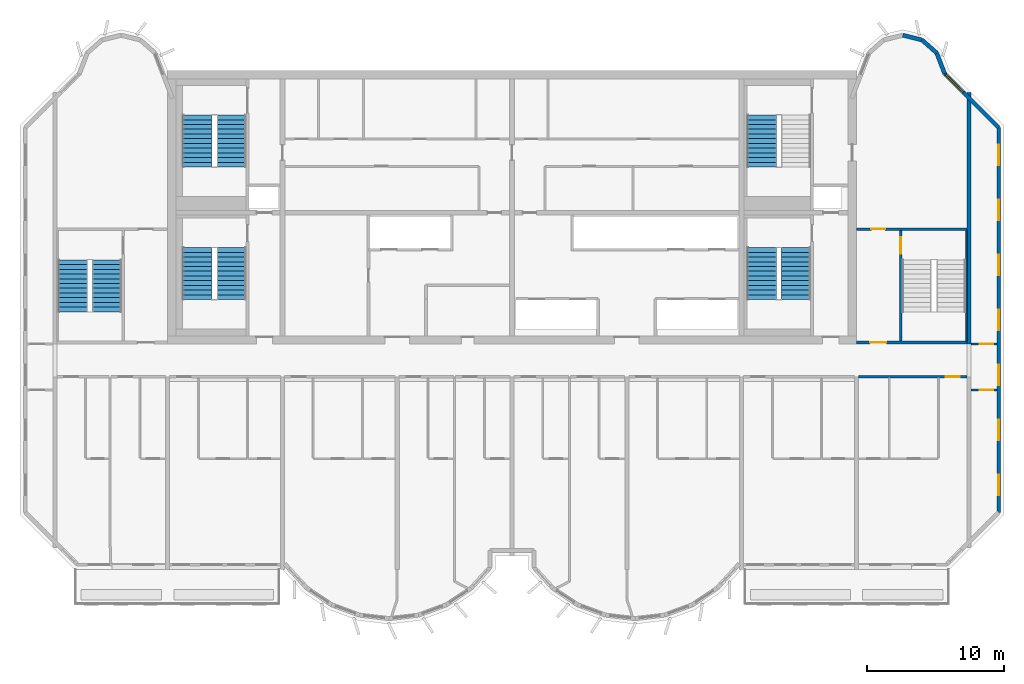
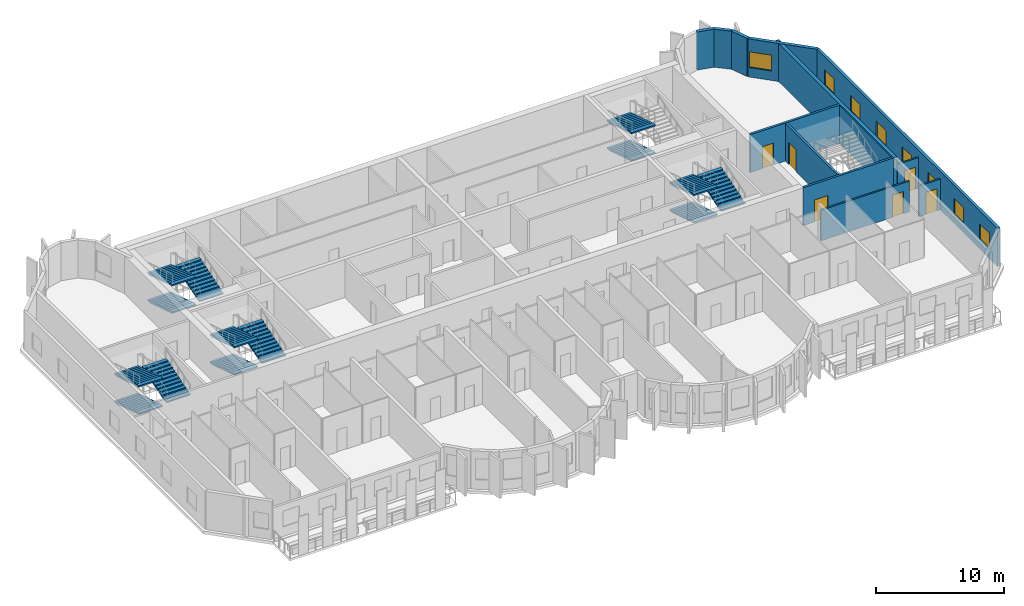
# One storey, part 8 of 11: 14 stair flights, 13 walls, 8 windows, 6 doors, 14 openings, 5 elements without a shape of their own.
"""IFC4 building model written with IfcOpenShell, lengths in metres."""

from ifc_helpers import new_model, si_unit, direction, frame, frame_2d, origin, place, context, subcontext, project, spatial, polyline, rectangle, outline, extrude, source, transform, mapped, material, layer, layer_set, type_object, element, fill, aggregate, save


model = new_model("IFC4")

# Units and contexts
model_context = context("Model", 3, precision=1e-05, world=origin(), true_north=direction((0.0, 1.0)))
body_context = subcontext(model_context, "Body", "Model", "MODEL_VIEW")
ifc_project = project(units=[si_unit("LENGTHUNIT", "METRE"), si_unit("AREAUNIT", "SQUARE_METRE"), si_unit("VOLUMEUNIT", "CUBIC_METRE"), si_unit("PLANEANGLEUNIT", "RADIAN"), si_unit("MASSUNIT", "GRAM", prefix="KILO")], contexts=[model_context])

# Site, building, storey
site_placement = place(None, origin())
site = spatial("IfcSite", under=ifc_project, at=site_placement, CompositionType="ELEMENT")
building_placement = place(site_placement, origin())
building = spatial("IfcBuilding", under=site, at=building_placement, Name="Vanashikhar Sky Hotel", CompositionType="ELEMENT")
storey_placement = place(building_placement, frame((0.0, 0.0, 256.89990234375)))
storey = spatial("IfcBuildingStorey", under=building, at=storey_placement, Name="L62", CompositionType="ELEMENT", Elevation=256.89990234375)

# Wall
ifc_material_1 = material(Name="Concrete M60", Category="concrete")
ifc_layer_1 = layer(ifc_material_1, 0.300048828125)
ifc_layer_set_1 = layer_set([ifc_layer_1], Name="RC shear wall 300 Concrete M60")
wall_type_1 = type_object("IfcWallType", Name="RC shear wall 300 Concrete M60", PredefinedType="SHEAR", material=ifc_layer_set_1)
shared_shape_1 = source(origin(), body_context, "Body", "SweptSolid", [
    extrude(rectangle(XDim=18.39990234375, YDim=0.300048828125, at=frame_2d((9.199951171875, 0.0))), origin(), (0.0, 0.0, 1.0), 3.6201171875),
])
wall_1_placement = place(storey_placement, frame((83.85009765625, 22.0, 0.0), z_axis=(0.0, 0.0, 1.0), x_axis=(0.0, 1.0, 0.0)))
element("IfcWall", 1, at=wall_1_placement, inside=storey, type_object=wall_type_1, Name="CW-L62-XW11-2", PredefinedType="SHEAR", context=body_context, shape_type="MappedRepresentation", body=[
    mapped(shared_shape_1, transform((0.0, 0.0, 0.0), scale=1.0)),
])

# Wall, opening, window
ifc_material_2 = material(Name="Concrete M50", Category="concrete")
ifc_layer_2 = layer(ifc_material_2, 0.300048828125)
ifc_layer_set_2 = layer_set([ifc_layer_2], Name="Lobe wall 300")
wall_type_2 = type_object("IfcWallType", Name="Lobe wall 300", PredefinedType="SOLIDWALL", material=ifc_layer_set_2)
shared_shape_2 = source(origin(), body_context, "Body", "SweptSolid", [
    extrude(rectangle(XDim=5.576416015625, YDim=0.300048828125, at=frame_2d((2.7880859375, 0.0))), origin(), (0.0, 0.0, 1.0), 3.6201171875),
])
wall_2_placement = place(storey_placement, frame((86.0, 37.834228515625, 0.0), z_axis=(0.0, 0.0, 1.0), x_axis=(-0.707106781187, 0.707106781187, 0.0)))
wall_2 = element("IfcWall", 2, at=wall_2_placement, inside=storey, type_object=wall_type_2, Name="Corner wall", PredefinedType="SOLIDWALL", context=body_context, shape_type="MappedRepresentation", body=[
    mapped(shared_shape_2, transform((0.0, 0.0, 0.0), scale=1.0)),
])
shared_shape_3 = source(origin(), body_context, "Body", "SweptSolid", [
    extrude(rectangle(XDim=1.800048828125, YDim=1.5, at=frame_2d((0.89990234375, 0.75))), frame((0.0, 0.16015625, 0.0), z_axis=(0.0, -1.0, 0.0), x_axis=(1.0, 0.0, 0.0)), (0.0, 0.0, 1.0), 0.320068359375),
])
opening_1_placement = place(wall_2_placement, frame((3.658447265625, 0.0, 0.89990234375)))
opening_1 = element("IfcOpeningElement", 3, at=opening_1_placement, cuts=wall_2, Name="Opening WN-4", PredefinedType="OPENING", context=body_context, shape_type="MappedRepresentation", body=[
    mapped(shared_shape_3, transform((0.0, 0.0, 0.0), scale=1.0)),
])
ifc_material_3 = material(Name="Glass", Category="glass")
window_type_1 = type_object("IfcWindowType", Name="Corner window 1800 x 1500", PartitioningType="SINGLE_PANEL", PredefinedType="WINDOW", material=ifc_material_3)
shared_shape_4 = source(origin(), body_context, "Body", "SweptSolid", [
    extrude(rectangle(XDim=1.800048828125, YDim=1.5, at=frame_2d((0.89990234375, 0.75))), frame((0.0, 0.030029296875, 0.0), z_axis=(0.0, -1.0, 0.0), x_axis=(1.0, 0.0, 0.0)), (0.0, 0.0, 1.0), 0.06005859375),
])
window_1_placement = place(opening_1_placement, origin())
window_1 = element("IfcWindow", 4, at=window_1_placement, inside=storey, type_object=window_type_1, Name="Window WN-4", OverallHeight=1.5, OverallWidth=1.800048828125, PartitioningType="SINGLE_PANEL", PredefinedType="WINDOW", context=body_context, shape_type="MappedRepresentation", body=[
    mapped(shared_shape_4, transform((0.0, 0.0, 0.0), scale=1.0)),
])
fill(opening_1, window_1)

# Walls
shared_shape_5 = source(origin(), body_context, "Body", "SweptSolid", [
    extrude(rectangle(XDim=1.6220703125, YDim=0.300048828125, at=frame_2d((0.81103515625, 0.0))), origin(), (0.0, 0.0, 1.0), 3.6201171875),
])
wall_3_placement = place(storey_placement, frame((82.056884765625, 41.77734375, 0.0), z_axis=(0.0, 0.0, 1.0), x_axis=(-0.357778527068, 0.933806471154, 0.0)))
element("IfcWall", 5, at=wall_3_placement, inside=storey, type_object=wall_type_2, Name="Lobe wall", PredefinedType="SOLIDWALL", context=body_context, shape_type="MappedRepresentation", body=[
    mapped(shared_shape_5, transform((0.0, 0.0, 0.0), scale=1.0)),
])
shared_shape_6 = source(origin(), body_context, "Body", "SweptSolid", [
    extrude(rectangle(XDim=1.43994140625, YDim=0.300048828125, at=frame_2d((0.719970703125, 0.0))), origin(), (0.0, 0.0, 1.0), 3.6201171875),
])
wall_4_placement = place(storey_placement, frame((81.4765625, 43.2919921875, 0.0), z_axis=(0.0, 0.0, 1.0), x_axis=(-0.74957555648, 0.661918790432, 0.0)))
element("IfcWall", 6, at=wall_4_placement, inside=storey, type_object=wall_type_2, Name="Lobe wall", PredefinedType="SOLIDWALL", context=body_context, shape_type="MappedRepresentation", body=[
    mapped(shared_shape_6, transform((0.0, 0.0, 0.0), scale=1.0)),
])
shared_shape_7 = source(origin(), body_context, "Body", "SweptSolid", [
    extrude(rectangle(XDim=1.438720703125, YDim=0.300048828125, at=frame_2d((0.71923828125, 0.0))), origin(), (0.0, 0.0, 1.0), 3.6201171875),
])
wall_5_placement = place(storey_placement, frame((80.397216796875, 44.2451171875, 0.0), z_axis=(0.0, 0.0, 1.0), x_axis=(-0.971161932466, 0.238420848351, 0.0)))
element("IfcWall", 7, at=wall_5_placement, inside=storey, type_object=wall_type_2, Name="Lobe wall", PredefinedType="SOLIDWALL", context=body_context, shape_type="MappedRepresentation", body=[
    mapped(shared_shape_7, transform((0.0, 0.0, 0.0), scale=1.0)),
])

# Wall, openings, windows
ifc_layer_3 = layer(ifc_material_2, 0.25)
ifc_layer_set_3 = layer_set([ifc_layer_3], Name="Rear and end board-marked wall 250")
wall_type_3 = type_object("IfcWallType", Name="Rear and end board-marked wall 250", PredefinedType="SOLIDWALL", material=ifc_layer_set_3)
shared_shape_8 = source(origin(), body_context, "Body", "SweptSolid", [
    extrude(rectangle(XDim=28.189453125, YDim=0.25, at=frame_2d((14.0947265625, 0.0))), origin(), (0.0, 0.0, 1.0), 3.6201171875),
])
wall_6_placement = place(storey_placement, frame((86.02490234375, 9.6552734375, 0.0), z_axis=(0.0, 0.0, 1.0), x_axis=(0.0, 1.0, 0.0)))
wall_6 = element("IfcWall", 8, at=wall_6_placement, inside=storey, type_object=wall_type_3, Name="End board-marked wall", PredefinedType="SOLIDWALL", context=body_context, shape_type="MappedRepresentation", body=[
    mapped(shared_shape_8, transform((0.0, 0.0, 0.0), scale=1.0)),
])
shared_shape_9 = source(origin(), body_context, "Body", "SweptSolid", [
    extrude(rectangle(XDim=1.5, YDim=1.5, at=frame_2d((0.75, 0.75))), frame((0.0, 0.135009765625, 0.0), z_axis=(0.0, -1.0, 0.0), x_axis=(1.0, 0.0, 0.0)), (0.0, 0.0, 1.0), 0.27001953125),
])
opening_2_placement = place(wall_6_placement, frame((1.263427734375, 0.0, 0.89990234375)))
opening_2 = element("IfcOpeningElement", 9, at=opening_2_placement, cuts=wall_6, Name="Opening WN-1", PredefinedType="OPENING", context=body_context, shape_type="MappedRepresentation", body=[
    mapped(shared_shape_9, transform((0.0, 0.0, 0.0), scale=1.0)),
])
opening_3_placement = place(wall_6_placement, frame((5.29052734375, 0.0, 0.89990234375)))
opening_3 = element("IfcOpeningElement", 10, at=opening_3_placement, cuts=wall_6, Name="Opening WN-1", PredefinedType="OPENING", context=body_context, shape_type="MappedRepresentation", body=[
    mapped(shared_shape_9, transform((0.0, 0.0, 0.0), scale=1.0)),
])
opening_4_placement = place(wall_6_placement, frame((9.317626953125, 0.0, 0.89990234375)))
opening_4 = element("IfcOpeningElement", 11, at=opening_4_placement, cuts=wall_6, Name="Opening WN-1", PredefinedType="OPENING", context=body_context, shape_type="MappedRepresentation", body=[
    mapped(shared_shape_9, transform((0.0, 0.0, 0.0), scale=1.0)),
])
opening_5_placement = place(wall_6_placement, frame((13.3447265625, 0.0, 0.89990234375)))
opening_5 = element("IfcOpeningElement", 12, at=opening_5_placement, cuts=wall_6, Name="Opening WN-1", PredefinedType="OPENING", context=body_context, shape_type="MappedRepresentation", body=[
    mapped(shared_shape_9, transform((0.0, 0.0, 0.0), scale=1.0)),
])
opening_6_placement = place(wall_6_placement, frame((17.371826171875, 0.0, 0.89990234375)))
opening_6 = element("IfcOpeningElement", 13, at=opening_6_placement, cuts=wall_6, Name="Opening WN-1", PredefinedType="OPENING", context=body_context, shape_type="MappedRepresentation", body=[
    mapped(shared_shape_9, transform((0.0, 0.0, 0.0), scale=1.0)),
])
opening_7_placement = place(wall_6_placement, frame((21.398681640625, 0.0, 0.89990234375)))
opening_7 = element("IfcOpeningElement", 14, at=opening_7_placement, cuts=wall_6, Name="Opening WN-1", PredefinedType="OPENING", context=body_context, shape_type="MappedRepresentation", body=[
    mapped(shared_shape_9, transform((0.0, 0.0, 0.0), scale=1.0)),
])
opening_8_placement = place(wall_6_placement, frame((25.42578125, 0.0, 0.89990234375)))
opening_8 = element("IfcOpeningElement", 15, at=opening_8_placement, cuts=wall_6, Name="Opening WN-1", PredefinedType="OPENING", context=body_context, shape_type="MappedRepresentation", body=[
    mapped(shared_shape_9, transform((0.0, 0.0, 0.0), scale=1.0)),
])
window_type_2 = type_object("IfcWindowType", Name="Window 1500 x 1500", PartitioningType="SINGLE_PANEL", PredefinedType="WINDOW", material=ifc_material_3)
shared_shape_10 = source(origin(), body_context, "Body", "SweptSolid", [
    extrude(rectangle(XDim=1.5, YDim=1.5, at=frame_2d((0.75, 0.75))), frame((0.0, 0.030029296875, 0.0), z_axis=(0.0, -1.0, 0.0), x_axis=(1.0, 0.0, 0.0)), (0.0, 0.0, 1.0), 0.06005859375),
])
window_2_placement = place(opening_2_placement, origin())
window_2 = element("IfcWindow", 16, at=window_2_placement, inside=storey, type_object=window_type_2, Name="Window WN-1", OverallHeight=1.5, OverallWidth=1.5, PartitioningType="SINGLE_PANEL", PredefinedType="WINDOW", context=body_context, shape_type="MappedRepresentation", body=[
    mapped(shared_shape_10, transform((0.0, 0.0, 0.0), scale=1.0)),
])
fill(opening_2, window_2)
window_3_placement = place(opening_3_placement, origin())
window_3 = element("IfcWindow", 17, at=window_3_placement, inside=storey, type_object=window_type_2, Name="Window WN-1", OverallHeight=1.5, OverallWidth=1.5, PartitioningType="SINGLE_PANEL", PredefinedType="WINDOW", context=body_context, shape_type="MappedRepresentation", body=[
    mapped(shared_shape_10, transform((0.0, 0.0, 0.0), scale=1.0)),
])
fill(opening_3, window_3)
window_4_placement = place(opening_4_placement, origin())
window_4 = element("IfcWindow", 18, at=window_4_placement, inside=storey, type_object=window_type_2, Name="Window WN-1", OverallHeight=1.5, OverallWidth=1.5, PartitioningType="SINGLE_PANEL", PredefinedType="WINDOW", context=body_context, shape_type="MappedRepresentation", body=[
    mapped(shared_shape_10, transform((0.0, 0.0, 0.0), scale=1.0)),
])
fill(opening_4, window_4)
window_5_placement = place(opening_5_placement, origin())
window_5 = element("IfcWindow", 19, at=window_5_placement, inside=storey, type_object=window_type_2, Name="Window WN-1", OverallHeight=1.5, OverallWidth=1.5, PartitioningType="SINGLE_PANEL", PredefinedType="WINDOW", context=body_context, shape_type="MappedRepresentation", body=[
    mapped(shared_shape_10, transform((0.0, 0.0, 0.0), scale=1.0)),
])
fill(opening_5, window_5)
window_6_placement = place(opening_6_placement, origin())
window_6 = element("IfcWindow", 20, at=window_6_placement, inside=storey, type_object=window_type_2, Name="Window WN-1", OverallHeight=1.5, OverallWidth=1.5, PartitioningType="SINGLE_PANEL", PredefinedType="WINDOW", context=body_context, shape_type="MappedRepresentation", body=[
    mapped(shared_shape_10, transform((0.0, 0.0, 0.0), scale=1.0)),
])
fill(opening_6, window_6)
window_7_placement = place(opening_7_placement, origin())
window_7 = element("IfcWindow", 21, at=window_7_placement, inside=storey, type_object=window_type_2, Name="Window WN-1", OverallHeight=1.5, OverallWidth=1.5, PartitioningType="SINGLE_PANEL", PredefinedType="WINDOW", context=body_context, shape_type="MappedRepresentation", body=[
    mapped(shared_shape_10, transform((0.0, 0.0, 0.0), scale=1.0)),
])
fill(opening_7, window_7)
window_8_placement = place(opening_8_placement, origin())
window_8 = element("IfcWindow", 22, at=window_8_placement, inside=storey, type_object=window_type_2, Name="Window WN-1", OverallHeight=1.5, OverallWidth=1.5, PartitioningType="SINGLE_PANEL", PredefinedType="WINDOW", context=body_context, shape_type="MappedRepresentation", body=[
    mapped(shared_shape_10, transform((0.0, 0.0, 0.0), scale=1.0)),
])
fill(opening_8, window_8)

# Wall, opening, door
ifc_layer_4 = layer(ifc_material_2, 0.199951171875)
ifc_layer_set_4 = layer_set([ifc_layer_4], Name="Stair wall 200")
wall_type_4 = type_object("IfcWallType", Name="Stair wall 200", PredefinedType="SOLIDWALL", material=ifc_layer_set_4)
shared_shape_11 = source(origin(), body_context, "Body", "SweptSolid", [
    extrude(rectangle(XDim=8.2998046875, YDim=0.199951171875, at=frame_2d((4.14990234375, 0.0))), origin(), (0.0, 0.0, 1.0), 3.6201171875),
])
wall_7_placement = place(storey_placement, frame((78.85009765625, 22.10009765625, 0.0), z_axis=(0.0, 0.0, 1.0), x_axis=(0.0, 1.0, 0.0)))
wall_7 = element("IfcWall", 23, at=wall_7_placement, inside=storey, type_object=wall_type_4, Name="Stair wall 200", PredefinedType="SOLIDWALL", context=body_context, shape_type="MappedRepresentation", body=[
    mapped(shared_shape_11, transform((0.0, 0.0, 0.0), scale=1.0)),
])
shared_shape_12 = source(origin(), body_context, "Body", "SweptSolid", [
    extrude(rectangle(XDim=1.199951171875, YDim=2.10009765625, at=frame_2d((0.60009765625, 1.050048828125))), frame((0.0, 0.10986328125, 0.0), z_axis=(0.0, -1.0, 0.0), x_axis=(1.0, 0.0, 0.0)), (0.0, 0.0, 1.0), 0.219970703125),
])
opening_9_placement = place(wall_7_placement, frame((6.5, 0.0, 0.0)))
opening_9 = element("IfcOpeningElement", 24, at=opening_9_placement, cuts=wall_7, Name="Opening DC-1", PredefinedType="OPENING", context=body_context, shape_type="MappedRepresentation", body=[
    mapped(shared_shape_12, transform((0.0, 0.0, 0.0), scale=1.0)),
])
ifc_material_4 = material(Name="Steel", Category="steel")
door_type_1 = type_object("IfcDoorType", Name="Stair door 1200 FD120", OperationType="NOTDEFINED", PredefinedType="DOOR", material=ifc_material_4)
shared_shape_13 = source(origin(), body_context, "Body", "SweptSolid", [
    extrude(rectangle(XDim=1.199951171875, YDim=2.10009765625, at=frame_2d((0.60009765625, 1.050048828125))), frame((0.0, 0.02490234375, 0.0), z_axis=(0.0, -1.0, 0.0), x_axis=(1.0, 0.0, 0.0)), (0.0, 0.0, 1.0), 0.050048828125),
])
door_1_placement = place(opening_9_placement, origin())
door_1 = element("IfcDoor", 25, at=door_1_placement, inside=storey, type_object=door_type_1, Name="Stair door 1200 FD120", OperationType="SINGLE_SWING_RIGHT", OverallHeight=2.10009765625, OverallWidth=1.199951171875, PredefinedType="DOOR", context=body_context, shape_type="MappedRepresentation", body=[
    mapped(shared_shape_13, transform((0.0, 0.0, 0.0), scale=1.0)),
])
fill(opening_9, door_1)

shared_shape_14 = source(origin(), body_context, "Body", "SweptSolid", [
    extrude(rectangle(XDim=8.099853515625, YDim=0.199951171875, at=frame_2d((4.0498046875, 0.0))), origin(), (0.0, 0.0, 1.0), 3.6201171875),
])
wall_8_placement = place(storey_placement, frame((83.699951171875, 22.10009765625, 0.0), z_axis=(0.0, 0.0, 1.0), x_axis=(-1.0, 0.0, 0.0)))
wall_8 = element("IfcWall", 26, at=wall_8_placement, inside=storey, type_object=wall_type_4, Name="Stair wall 200", PredefinedType="SOLIDWALL", context=body_context, shape_type="MappedRepresentation", body=[
    mapped(shared_shape_14, transform((0.0, 0.0, 0.0), scale=1.0)),
])
opening_10_placement = place(wall_8_placement, frame((5.89990234375, 0.0, 0.0)))
opening_10 = element("IfcOpeningElement", 27, at=opening_10_placement, cuts=wall_8, Name="Opening DC-2", PredefinedType="OPENING", context=body_context, shape_type="MappedRepresentation", body=[
    mapped(shared_shape_12, transform((0.0, 0.0, 0.0), scale=1.0)),
])
door_type_2 = type_object("IfcDoorType", Name="Firefighting lobby door 1200 FD120", OperationType="NOTDEFINED", PredefinedType="DOOR", material=ifc_material_4)
door_2_placement = place(opening_10_placement, origin())
door_2 = element("IfcDoor", 28, at=door_2_placement, inside=storey, type_object=door_type_2, Name="Firefighting lobby door 1200 FD120", OperationType="SINGLE_SWING_RIGHT", OverallHeight=2.10009765625, OverallWidth=1.199951171875, PredefinedType="DOOR", context=body_context, shape_type="MappedRepresentation", body=[
    mapped(shared_shape_13, transform((0.0, 0.0, 0.0), scale=1.0)),
])
fill(opening_10, door_2)

wall_9_placement = place(storey_placement, frame((83.699951171875, 30.39990234375, 0.0), z_axis=(0.0, 0.0, 1.0), x_axis=(-1.0, 0.0, 0.0)))
wall_9 = element("IfcWall", 29, at=wall_9_placement, inside=storey, type_object=wall_type_4, Name="Stair wall 200", PredefinedType="SOLIDWALL", context=body_context, shape_type="MappedRepresentation", body=[
    mapped(shared_shape_14, transform((0.0, 0.0, 0.0), scale=1.0)),
])
shared_shape_15 = source(origin(), body_context, "Body", "SweptSolid", [
    extrude(rectangle(XDim=1.0, YDim=2.10009765625, at=frame_2d((0.5, 1.050048828125))), frame((0.0, 0.10986328125, 0.0), z_axis=(0.0, -1.0, 0.0), x_axis=(1.0, 0.0, 0.0)), (0.0, 0.0, 1.0), 0.219970703125),
])
opening_11_placement = place(wall_9_placement, frame((6.0, 0.0, 0.0)))
opening_11 = element("IfcOpeningElement", 30, at=opening_11_placement, cuts=wall_9, Name="Opening DC-6", PredefinedType="OPENING", context=body_context, shape_type="MappedRepresentation", body=[
    mapped(shared_shape_15, transform((0.0, 0.0, 0.0), scale=1.0)),
])
door_type_3 = type_object("IfcDoorType", Name="Pocket door 1000 FD60", OperationType="NOTDEFINED", PredefinedType="DOOR", material=ifc_material_4)
shared_shape_16 = source(origin(), body_context, "Body", "SweptSolid", [
    extrude(rectangle(XDim=1.0, YDim=2.10009765625, at=frame_2d((0.5, 1.050048828125))), frame((0.0, 0.02490234375, 0.0), z_axis=(0.0, -1.0, 0.0), x_axis=(1.0, 0.0, 0.0)), (0.0, 0.0, 1.0), 0.050048828125),
])
door_3_placement = place(opening_11_placement, origin())
door_3 = element("IfcDoor", 31, at=door_3_placement, inside=storey, type_object=door_type_3, Name="Pocket door 1000 FD60", OperationType="SINGLE_SWING_RIGHT", OverallHeight=2.10009765625, OverallWidth=1.0, PredefinedType="DOOR", context=body_context, shape_type="MappedRepresentation", body=[
    mapped(shared_shape_16, transform((0.0, 0.0, 0.0), scale=1.0)),
])
fill(opening_11, door_3)

# Wall
ifc_layer_5 = layer(ifc_material_2, 0.10009765625)
ifc_layer_set_5 = layer_set([ifc_layer_5], Name="Stair infill wall 100")
wall_type_5 = type_object("IfcWallType", Name="Stair infill wall 100", PredefinedType="SOLIDWALL", material=ifc_layer_set_5)
shared_shape_17 = source(origin(), body_context, "Body", "SweptSolid", [
    extrude(rectangle(XDim=8.10009765625, YDim=0.10009765625, at=frame_2d((4.050048828125, 0.0))), origin(), (0.0, 0.0, 1.0), 3.6201171875),
])
wall_10_placement = place(storey_placement, frame((83.64990234375, 22.199951171875, 0.0), z_axis=(0.0, 0.0, 1.0), x_axis=(0.0, 1.0, 0.0)))
element("IfcWall", 32, at=wall_10_placement, inside=storey, type_object=wall_type_5, Name="Stair infill wall 100", PredefinedType="SOLIDWALL", context=body_context, shape_type="MappedRepresentation", body=[
    mapped(shared_shape_17, transform((0.0, 0.0, 0.0), scale=1.0)),
])

# Wall, opening, door
ifc_material_5 = material(Name="Gypsum plasterboard partition")
ifc_layer_6 = layer(ifc_material_5, 0.14990234375)
ifc_layer_set_6 = layer_set([ifc_layer_6], Name="Corridor and demising partition 150")
wall_type_6 = type_object("IfcWallType", Name="Corridor and demising partition 150", PredefinedType="PARTITIONING", material=ifc_layer_set_6)
shared_shape_18 = source(origin(), body_context, "Body", "SweptSolid", [
    extrude(rectangle(XDim=7.949951171875, YDim=0.14990234375, at=frame_2d((3.97509765625, 0.0))), origin(), (0.0, 0.0, 1.0), 2.920166015625),
])
wall_11_placement = place(storey_placement, frame((75.75, 19.60009765625, 0.0), z_axis=(0.0, 0.0, 1.0), x_axis=(1.0, 0.0, 0.0)))
wall_11 = element("IfcWall", 33, at=wall_11_placement, inside=storey, type_object=wall_type_6, Name="W-L62-PW046", PredefinedType="PARTITIONING", context=body_context, shape_type="MappedRepresentation", body=[
    mapped(shared_shape_18, transform((0.0, 0.0, 0.0), scale=1.0)),
])
shared_shape_19 = source(origin(), body_context, "Body", "SweptSolid", [
    extrude(rectangle(XDim=1.0, YDim=2.10009765625, at=frame_2d((0.5, 1.050048828125))), frame((0.0, 0.0849609375, 0.0), z_axis=(0.0, -1.0, 0.0), x_axis=(1.0, 0.0, 0.0)), (0.0, 0.0, 1.0), 0.169921875),
])
opening_12_placement = place(wall_11_placement, frame((6.39990234375, 0.0, 0.0)))
opening_12 = element("IfcOpeningElement", 34, at=opening_12_placement, cuts=wall_11, Name="Opening D-01", PredefinedType="OPENING", context=body_context, shape_type="MappedRepresentation", body=[
    mapped(shared_shape_19, transform((0.0, 0.0, 0.0), scale=1.0)),
])
ifc_material_6 = material(Name="Timber fire door", Category="wood")
door_type_4 = type_object("IfcDoorType", Name="Guest entry door 1000 FD30S", OperationType="NOTDEFINED", PredefinedType="DOOR", material=ifc_material_6)
door_4_placement = place(opening_12_placement, origin())
door_4 = element("IfcDoor", 35, at=door_4_placement, inside=storey, type_object=door_type_4, Name="D-L62-027", OperationType="SINGLE_SWING_RIGHT", OverallHeight=2.10009765625, OverallWidth=1.0, PredefinedType="DOOR", context=body_context, shape_type="MappedRepresentation", body=[
    mapped(shared_shape_16, transform((0.0, 0.0, 0.0), scale=1.0)),
])
fill(opening_12, door_4)

shared_shape_20 = source(origin(), body_context, "Body", "SweptSolid", [
    extrude(rectangle(XDim=1.89990234375, YDim=0.14990234375, at=frame_2d((0.949951171875, 0.0))), origin(), (0.0, 0.0, 1.0), 2.920166015625),
])
wall_12_placement = place(storey_placement, frame((84.0, 22.0, 0.0), z_axis=(0.0, 0.0, 1.0), x_axis=(1.0, 0.0, 0.0)))
wall_12 = element("IfcWall", 36, at=wall_12_placement, inside=storey, type_object=wall_type_6, Name="W-L62-PW050", PredefinedType="PARTITIONING", context=body_context, shape_type="MappedRepresentation", body=[
    mapped(shared_shape_20, transform((0.0, 0.0, 0.0), scale=1.0)),
])
opening_13_placement = place(wall_12_placement, frame((0.625, 0.0, 0.0)))
opening_13 = element("IfcOpeningElement", 37, at=opening_13_placement, cuts=wall_12, Name="Opening D-01", PredefinedType="OPENING", context=body_context, shape_type="MappedRepresentation", body=[
    mapped(shared_shape_19, transform((0.0, 0.0, 0.0), scale=1.0)),
])
door_5_placement = place(opening_13_placement, origin())
door_5 = element("IfcDoor", 38, at=door_5_placement, inside=storey, type_object=door_type_4, Name="D-L62-029", OperationType="SINGLE_SWING_RIGHT", OverallHeight=2.10009765625, OverallWidth=1.0, PredefinedType="DOOR", context=body_context, shape_type="MappedRepresentation", body=[
    mapped(shared_shape_16, transform((0.0, 0.0, 0.0), scale=1.0)),
])
fill(opening_13, door_5)

wall_13_placement = place(storey_placement, frame((84.0, 18.6279296875, 0.0), z_axis=(0.0, 0.0, 1.0), x_axis=(1.0, 0.0, 0.0)))
wall_13 = element("IfcWall", 39, at=wall_13_placement, inside=storey, type_object=wall_type_6, Name="W-L62-PW052", PredefinedType="PARTITIONING", context=body_context, shape_type="MappedRepresentation", body=[
    mapped(shared_shape_20, transform((0.0, 0.0, 0.0), scale=1.0)),
])
opening_14_placement = place(wall_13_placement, frame((0.625, 0.0, 0.0)))
opening_14 = element("IfcOpeningElement", 40, at=opening_14_placement, cuts=wall_13, Name="Opening D-01", PredefinedType="OPENING", context=body_context, shape_type="MappedRepresentation", body=[
    mapped(shared_shape_19, transform((0.0, 0.0, 0.0), scale=1.0)),
])
door_6_placement = place(opening_14_placement, origin())
door_6 = element("IfcDoor", 41, at=door_6_placement, inside=storey, type_object=door_type_4, Name="D-L62-031", OperationType="SINGLE_SWING_RIGHT", OverallHeight=2.10009765625, OverallWidth=1.0, PredefinedType="DOOR", context=body_context, shape_type="MappedRepresentation", body=[
    mapped(shared_shape_16, transform((0.0, 0.0, 0.0), scale=1.0)),
])
fill(opening_14, door_6)

# Stair, stair flights
ifc_material_7 = material(Name="Concrete M40", Category="concrete")
stair_type = type_object("IfcStairType", Name="Exit stair 2150", PredefinedType="DOUBLE_RETURN_STAIR", material=ifc_material_7)
stair_1_placement = place(storey_placement, origin())
stair_1 = element("IfcStair", 42, at=stair_1_placement, inside=storey, type_object=stair_type, Name="L62 Exit stair 1", PredefinedType="DOUBLE_RETURN_STAIR")
stair_flight_type = type_object("IfcStairFlightType", Name="Stair flight 2150", PredefinedType="STRAIGHT", material=ifc_material_7)
shared_shape_21 = source(origin(), body_context, "Body", "SweptSolid", [
    extrude(outline(polyline([(0.0, 0.0), (0.0, 0.1083984375), (0.345458984375, 0.1083984375), (0.345458984375, 0.216552734375), (0.69091796875, 0.216552734375), (0.69091796875, 0.324951171875), (1.036376953125, 0.324951171875), (1.036376953125, 0.433349609375), (1.3818359375, 0.433349609375), (1.3818359375, 0.541748046875), (1.727294921875, 0.541748046875), (1.727294921875, 0.64990234375), (2.07275390625, 0.64990234375), (2.07275390625, 0.75830078125), (2.418212890625, 0.75830078125), (2.418212890625, 0.86669921875), (2.763671875, 0.86669921875), (2.763671875, 0.97509765625), (3.109130859375, 0.97509765625), (3.109130859375, 1.083251953125), (3.45458984375, 1.083251953125), (3.45458984375, 1.191650390625), (3.800048828125, 1.191650390625), (3.800048828125, 1.300048828125), (3.800048828125, 1.065673828125), (0.4013671875, 0.0), (0.0, 0.0)])), frame((0.0, 1.074951171875, 0.0), z_axis=(0.0, -1.0, 0.0), x_axis=(1.0, 0.0, 0.0)), (0.0, 0.0, 1.0), 2.14990234375),
])
stair_flight_1_placement = place(storey_placement, frame((27.375, 29.050048828125, 0.0), z_axis=(0.0, 0.0, 1.0), x_axis=(0.0, -1.0, 0.0)))
stair_flight_1 = element("IfcStairFlight", 43, at=stair_flight_1_placement, type_object=stair_flight_type, Name="ST-C1 flight 1", NumberOfRisers=12, NumberOfTreads=11, PredefinedType="STRAIGHT", RiserHeight=0.108333333, TreadLength=0.345454545, context=body_context, shape_type="MappedRepresentation", body=[
    mapped(shared_shape_21, transform((0.0, 0.0, 0.0), scale=1.0)),
])
stair_flight_2_placement = place(storey_placement, frame((29.875, 25.25, 1.300048828125), z_axis=(0.0, 0.0, 1.0), x_axis=(0.0, 1.0, 0.0)))
stair_flight_2 = element("IfcStairFlight", 44, at=stair_flight_2_placement, type_object=stair_flight_type, Name="ST-C1 flight 2", NumberOfRisers=12, NumberOfTreads=11, PredefinedType="STRAIGHT", RiserHeight=0.108333333, TreadLength=0.345454545, context=body_context, shape_type="MappedRepresentation", body=[
    mapped(shared_shape_21, transform((0.0, 0.0, 0.0), scale=1.0)),
])
stair_flight_3_placement = place(storey_placement, frame((27.375, 29.050048828125, 2.60009765625), z_axis=(0.0, 0.0, 1.0), x_axis=(0.0, -1.0, 0.0)))
stair_flight_3 = element("IfcStairFlight", 45, at=stair_flight_3_placement, type_object=stair_flight_type, Name="ST-C1 flight 3", NumberOfRisers=12, NumberOfTreads=11, PredefinedType="STRAIGHT", RiserHeight=0.108333333, TreadLength=0.345454545, context=body_context, shape_type="MappedRepresentation", body=[
    mapped(shared_shape_21, transform((0.0, 0.0, 0.0), scale=1.0)),
])
aggregate(stair_1, [stair_flight_1, stair_flight_2, stair_flight_3])

stair_2_placement = place(storey_placement, origin())
stair_2 = element("IfcStair", 46, at=stair_2_placement, inside=storey, type_object=stair_type, Name="L62 Exit stair 2", PredefinedType="DOUBLE_RETURN_STAIR")
stair_flight_4_placement = place(storey_placement, frame((68.675048828125, 29.050048828125, 0.0), z_axis=(0.0, 0.0, 1.0), x_axis=(0.0, -1.0, 0.0)))
stair_flight_4 = element("IfcStairFlight", 47, at=stair_flight_4_placement, type_object=stair_flight_type, Name="ST-C2 flight 1", NumberOfRisers=12, NumberOfTreads=11, PredefinedType="STRAIGHT", RiserHeight=0.108333333, TreadLength=0.345454545, context=body_context, shape_type="MappedRepresentation", body=[
    mapped(shared_shape_21, transform((0.0, 0.0, 0.0), scale=1.0)),
])
stair_flight_5_placement = place(storey_placement, frame((71.175048828125, 25.25, 1.300048828125), z_axis=(0.0, 0.0, 1.0), x_axis=(0.0, 1.0, 0.0)))
stair_flight_5 = element("IfcStairFlight", 48, at=stair_flight_5_placement, type_object=stair_flight_type, Name="ST-C2 flight 2", NumberOfRisers=12, NumberOfTreads=11, PredefinedType="STRAIGHT", RiserHeight=0.108333333, TreadLength=0.345454545, context=body_context, shape_type="MappedRepresentation", body=[
    mapped(shared_shape_21, transform((0.0, 0.0, 0.0), scale=1.0)),
])
stair_flight_6_placement = place(storey_placement, frame((68.675048828125, 29.050048828125, 2.60009765625), z_axis=(0.0, 0.0, 1.0), x_axis=(0.0, -1.0, 0.0)))
stair_flight_6 = element("IfcStairFlight", 49, at=stair_flight_6_placement, type_object=stair_flight_type, Name="ST-C2 flight 3", NumberOfRisers=12, NumberOfTreads=11, PredefinedType="STRAIGHT", RiserHeight=0.108333333, TreadLength=0.345454545, context=body_context, shape_type="MappedRepresentation", body=[
    mapped(shared_shape_21, transform((0.0, 0.0, 0.0), scale=1.0)),
])
aggregate(stair_2, [stair_flight_4, stair_flight_5, stair_flight_6])

stair_3_placement = place(storey_placement, origin())
stair_3 = element("IfcStair", 50, at=stair_3_placement, inside=storey, type_object=stair_type, Name="L62 Exit stair 3", PredefinedType="DOUBLE_RETURN_STAIR")
stair_flight_7_placement = place(storey_placement, frame((18.27490234375, 28.14990234375, 0.0), z_axis=(0.0, 0.0, 1.0), x_axis=(0.0, -1.0, 0.0)))
stair_flight_7 = element("IfcStairFlight", 51, at=stair_flight_7_placement, type_object=stair_flight_type, Name="ST-W flight 1", NumberOfRisers=12, NumberOfTreads=11, PredefinedType="STRAIGHT", RiserHeight=0.108333333, TreadLength=0.345454545, context=body_context, shape_type="MappedRepresentation", body=[
    mapped(shared_shape_21, transform((0.0, 0.0, 0.0), scale=1.0)),
])
stair_flight_8_placement = place(storey_placement, frame((20.77490234375, 24.35009765625, 1.300048828125), z_axis=(0.0, 0.0, 1.0), x_axis=(0.0, 1.0, 0.0)))
stair_flight_8 = element("IfcStairFlight", 52, at=stair_flight_8_placement, type_object=stair_flight_type, Name="ST-W flight 2", NumberOfRisers=12, NumberOfTreads=11, PredefinedType="STRAIGHT", RiserHeight=0.108333333, TreadLength=0.345454545, context=body_context, shape_type="MappedRepresentation", body=[
    mapped(shared_shape_21, transform((0.0, 0.0, 0.0), scale=1.0)),
])
stair_flight_9_placement = place(storey_placement, frame((18.27490234375, 28.14990234375, 2.60009765625), z_axis=(0.0, 0.0, 1.0), x_axis=(0.0, -1.0, 0.0)))
stair_flight_9 = element("IfcStairFlight", 53, at=stair_flight_9_placement, type_object=stair_flight_type, Name="ST-W flight 3", NumberOfRisers=12, NumberOfTreads=11, PredefinedType="STRAIGHT", RiserHeight=0.108333333, TreadLength=0.345454545, context=body_context, shape_type="MappedRepresentation", body=[
    mapped(shared_shape_21, transform((0.0, 0.0, 0.0), scale=1.0)),
])
aggregate(stair_3, [stair_flight_7, stair_flight_8, stair_flight_9])

stair_4_placement = place(storey_placement, origin())
stair_4 = element("IfcStair", 54, at=stair_4_placement, inside=storey, type_object=stair_type, Name="L62 Exit stair 5", PredefinedType="DOUBLE_RETURN_STAIR")
stair_flight_10_placement = place(storey_placement, frame((27.375, 38.75, 0.0), z_axis=(0.0, 0.0, 1.0), x_axis=(0.0, -1.0, 0.0)))
stair_flight_10 = element("IfcStairFlight", 55, at=stair_flight_10_placement, type_object=stair_flight_type, Name="ST-C3 flight 1", NumberOfRisers=12, NumberOfTreads=11, PredefinedType="STRAIGHT", RiserHeight=0.108333333, TreadLength=0.345454545, context=body_context, shape_type="MappedRepresentation", body=[
    mapped(shared_shape_21, transform((0.0, 0.0, 0.0), scale=1.0)),
])
stair_flight_11_placement = place(storey_placement, frame((29.875, 34.949951171875, 1.300048828125), z_axis=(0.0, 0.0, 1.0), x_axis=(0.0, 1.0, 0.0)))
stair_flight_11 = element("IfcStairFlight", 56, at=stair_flight_11_placement, type_object=stair_flight_type, Name="ST-C3 flight 2", NumberOfRisers=12, NumberOfTreads=11, PredefinedType="STRAIGHT", RiserHeight=0.108333333, TreadLength=0.345454545, context=body_context, shape_type="MappedRepresentation", body=[
    mapped(shared_shape_21, transform((0.0, 0.0, 0.0), scale=1.0)),
])
stair_flight_12_placement = place(storey_placement, frame((27.375, 38.75, 2.60009765625), z_axis=(0.0, 0.0, 1.0), x_axis=(0.0, -1.0, 0.0)))
stair_flight_12 = element("IfcStairFlight", 57, at=stair_flight_12_placement, type_object=stair_flight_type, Name="ST-C3 flight 3", NumberOfRisers=12, NumberOfTreads=11, PredefinedType="STRAIGHT", RiserHeight=0.108333333, TreadLength=0.345454545, context=body_context, shape_type="MappedRepresentation", body=[
    mapped(shared_shape_21, transform((0.0, 0.0, 0.0), scale=1.0)),
])
aggregate(stair_4, [stair_flight_10, stair_flight_11, stair_flight_12])

stair_5_placement = place(storey_placement, origin())
stair_5 = element("IfcStair", 58, at=stair_5_placement, inside=storey, type_object=stair_type, Name="L62 Exit stair 6", PredefinedType="DOUBLE_RETURN_STAIR")
stair_flight_13_placement = place(storey_placement, frame((68.675048828125, 38.75, 0.0), z_axis=(0.0, 0.0, 1.0), x_axis=(0.0, -1.0, 0.0)))
stair_flight_13 = element("IfcStairFlight", 59, at=stair_flight_13_placement, type_object=stair_flight_type, Name="ST-C4 flight 1", NumberOfRisers=12, NumberOfTreads=11, PredefinedType="STRAIGHT", RiserHeight=0.108333333, TreadLength=0.345454545, context=body_context, shape_type="MappedRepresentation", body=[
    mapped(shared_shape_21, transform((0.0, 0.0, 0.0), scale=1.0)),
])
stair_flight_14_placement = place(storey_placement, frame((68.675048828125, 38.75, 2.60009765625), z_axis=(0.0, 0.0, 1.0), x_axis=(0.0, -1.0, 0.0)))
stair_flight_14 = element("IfcStairFlight", 60, at=stair_flight_14_placement, type_object=stair_flight_type, Name="ST-C4 flight 3", NumberOfRisers=12, NumberOfTreads=11, PredefinedType="STRAIGHT", RiserHeight=0.108333333, TreadLength=0.345454545, context=body_context, shape_type="MappedRepresentation", body=[
    mapped(shared_shape_21, transform((0.0, 0.0, 0.0), scale=1.0)),
])
aggregate(stair_5, [stair_flight_13, stair_flight_14])

save(model, "model.ifc")
